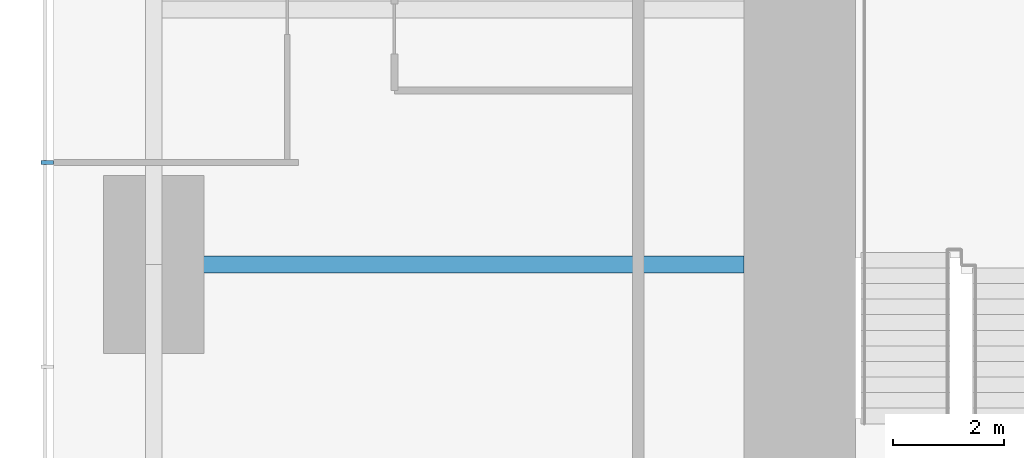
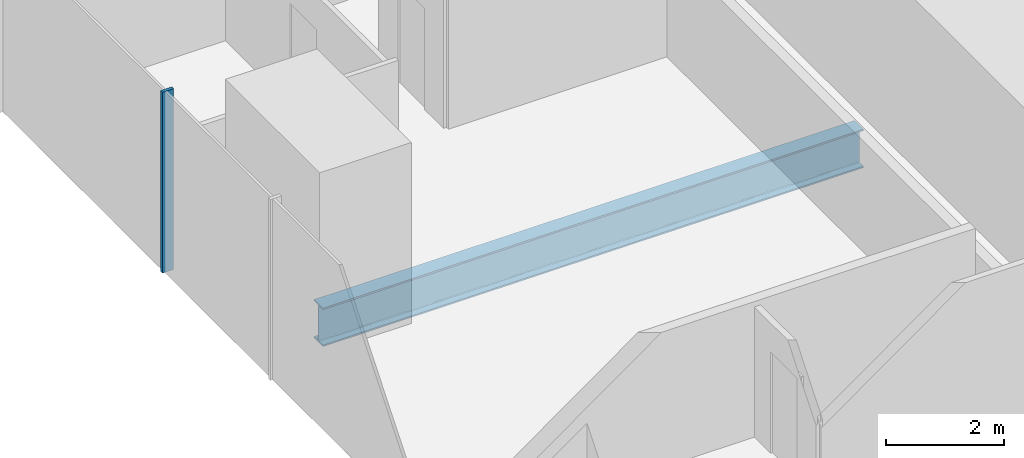
# One storey, part 3 of 13: 1 beam, 1 member, 1 element without a shape of its own.
"""IFC4 building model written with IfcOpenShell, lengths in metres."""

import ifcopenshell
import ifcopenshell.guid

model = None  # the IFC model being written
_history = None  # IfcOwnerHistory: only IFC2X3 demands one
_inside = {}  # id of a spatial element -> (the spatial element, [elements in it])
_under = {}  # id of a project, library or spatial element -> (it, [spatial elements below it])
_declared = {}  # id of a project -> (the project, [libraries it declares])
_typed = {}  # id of a type object -> (the type object, [elements of that type])
_made_of = {}  # id of a material, layer set ... -> (it, [elements and type objects made of it])


def new_model(schema):
    """Start an empty IFC model of exactly this schema.

    Asked for "IFC4X3", IfcOpenShell would pick the latest addendum, in which some entities
    have other attributes; the version numbers below select the first issue.
    IFC2X3 requires an IfcOwnerHistory on every rooted entity: one is made here for all.
    """
    global model, _history
    if schema == "IFC4X3":
        model = ifcopenshell.file(schema_version=(4, 3, 0, 0))
    else:
        model = ifcopenshell.file(schema=schema)
    _inside.clear()
    _under.clear()
    _declared.clear()
    _typed.clear()
    _made_of.clear()
    _history = None
    if model.schema == "IFC2X3":
        org = make("IfcOrganization", Name="unknown")
        user = make(
            "IfcPersonAndOrganization",
            ThePerson=make("IfcPerson", FamilyName="unknown"),
            TheOrganization=org,
        )
        app = make(
            "IfcApplication",
            ApplicationDeveloper=org,
            Version="unknown",
            ApplicationFullName="unknown",
            ApplicationIdentifier="unknown",
        )
        _history = make(
            "IfcOwnerHistory",
            OwningUser=user,
            OwningApplication=app,
            ChangeAction="ADDED",
            CreationDate=0,
        )
    return model


def make(cls, **values):
    """One entity of the class cls with the attributes given. An attribute that is None is left unset."""
    return model.create_entity(
        cls, **{name: value for name, value in values.items() if value is not None}
    )


def rooted(cls, **values):
    """An entity with a GlobalId (a new one), such as an element, a storey or a relation."""
    return make(cls, GlobalId=ifcopenshell.guid.new(), OwnerHistory=_history, **values)


def si_unit(unit_type, name, prefix=None):
    """IfcSIUnit, for example si_unit("LENGTHUNIT", "METRE", prefix="MILLI")."""
    return make("IfcSIUnit", UnitType=unit_type, Prefix=prefix, Name=name)


def assignment(units):
    """IfcUnitAssignment: the units of a project."""
    return None if units is None else make("IfcUnitAssignment", Units=units)


def point(xyz):
    """IfcCartesianPoint."""
    return None if xyz is None else make("IfcCartesianPoint", Coordinates=xyz)


def direction(xyz):
    """IfcDirection."""
    return None if xyz is None else make("IfcDirection", DirectionRatios=xyz)


def frame(location, z_axis=None, x_axis=None):
    """IfcAxis2Placement3D, a coordinate frame: its origin and axes. An axis left out is left unset."""
    return make(
        "IfcAxis2Placement3D",
        Location=point(location),
        Axis=direction(z_axis),
        RefDirection=direction(x_axis),
    )


def frame_2d(location, x_axis=None):
    """IfcAxis2Placement2D, a coordinate frame in the plane: its origin and x axis."""
    return make(
        "IfcAxis2Placement2D", Location=point(location), RefDirection=direction(x_axis)
    )


def origin():
    """The frame at (0, 0, 0) with its axes left unset."""
    return frame((0.0, 0.0, 0.0))


def origin_2d():
    """The frame at (0, 0) in the plane with its x axis left unset."""
    return frame_2d((0.0, 0.0))


def place(relative_to, where):
    """IfcLocalPlacement: puts the frame where relative to a parent placement (None: the world)."""
    return make(
        "IfcLocalPlacement", PlacementRelTo=relative_to, RelativePlacement=where
    )


def context(
    kind, dimensions, precision=None, world=None, true_north=None, identifier=None
):
    """IfcGeometricRepresentationContext, for example the 3D "Model" context."""
    return make(
        "IfcGeometricRepresentationContext",
        ContextIdentifier=identifier,
        ContextType=kind,
        CoordinateSpaceDimension=dimensions,
        Precision=precision,
        WorldCoordinateSystem=world,
        TrueNorth=true_north,
    )


def subcontext(parent, identifier, kind, view, scale=None):
    """IfcGeometricRepresentationSubContext, for example "Body" below "Model"."""
    return make(
        "IfcGeometricRepresentationSubContext",
        ContextIdentifier=identifier,
        ContextType=kind,
        ParentContext=parent,
        TargetScale=scale,
        TargetView=view,
    )


def project(units=None, contexts=None):
    """IfcProject with its units and contexts."""
    return rooted(
        "IfcProject",
        Name="project",
        RepresentationContexts=contexts,
        UnitsInContext=assignment(units),
    )


def spatial(cls, under=None, at=None, **own):
    """A site, building, storey or space (cls), placed at a placement, below another one or the project."""
    s = rooted(cls, ObjectPlacement=at, **own)
    if under is not None:
        _under.setdefault(under.id(), (under, []))[1].append(s)
    return s


def profile(cls, at=None, kind="AREA", **sizes):
    """A parametric profile (cls). Its sizes go by their IFC names, for example OverallWidth=200.0."""
    return make(cls, ProfileType=kind, Position=at, **sizes)


def rectangle(**sizes):
    """IfcRectangleProfileDef."""
    return profile("IfcRectangleProfileDef", **sizes)


def i_section(**sizes):
    """IfcIShapeProfileDef."""
    return profile("IfcIShapeProfileDef", **sizes)


def extrude(swept, where, along, depth):
    """IfcExtrudedAreaSolid: the profile swept, set in the frame where, extruded along a direction by depth."""
    return make(
        "IfcExtrudedAreaSolid",
        SweptArea=swept,
        Position=where,
        ExtrudedDirection=direction(along),
        Depth=depth,
    )


def shape(context_of_items, identifier, shape_type, items):
    """IfcShapeRepresentation: the items that make up one representation, for example the "Body"."""
    return make(
        "IfcShapeRepresentation",
        ContextOfItems=context_of_items,
        RepresentationIdentifier=identifier,
        RepresentationType=shape_type,
        Items=items,
    )


def material(Name=None, Category=None):
    """IfcMaterial."""
    return make("IfcMaterial", Name=Name, Category=Category)


def material_profile(
    of_material, cross_section, Name=None, Category=None, Priority=None
):
    """IfcMaterialProfile: a cross section and its material."""
    return make(
        "IfcMaterialProfile",
        Name=Name,
        Material=of_material,
        Profile=cross_section,
        Priority=Priority,
        Category=Category,
    )


def profile_set(profiles, Name=None, composite=None):
    """IfcMaterialProfileSet."""
    return make(
        "IfcMaterialProfileSet",
        Name=Name,
        MaterialProfiles=profiles,
        CompositeProfile=composite,
    )


def made_of(thing, what):
    """Note that an element or type object is made of a material, layer set ...; save() writes the relation."""
    if what is not None:
        _made_of.setdefault(what.id(), (what, []))[1].append(thing)
    return thing


def type_object(cls, material=None, **own):
    """A type object (cls), such as IfcWallType, which elements share."""
    return made_of(rooted(cls, **own), material)


def element(
    cls,
    number,
    at=None,
    inside=None,
    cuts=None,
    type_object=None,
    material=None,
    context=None,
    identifier="Body",
    shape_type=None,
    held_by="IfcProductDefinitionShape",
    body=None,
    shapes=None,
    **own,
):
    """One element of the class cls, such as IfcWall. Its Tag is "e" and its number.

    at: its placement. inside: the storey or other place that contains it. cuts: it is an
    opening in that element (IfcRelVoidsElement). A single representation is given by context,
    identifier, shape_type and body (its items); several are given by shapes. held_by: the class
    of the entity that holds the representations. save() writes the other relations.
    """
    e = rooted(cls, Tag="e%d" % number, ObjectPlacement=at, **own)
    if body is not None:
        shapes = [shape(context, identifier, shape_type, body)]
    if shapes is not None:
        e.Representation = make(held_by, Representations=shapes)
    if inside is not None:
        _inside.setdefault(inside.id(), (inside, []))[1].append(e)
    if cuts is not None:
        rooted(
            "IfcRelVoidsElement", RelatingBuildingElement=cuts, RelatedOpeningElement=e
        )
    if type_object is not None:
        _typed.setdefault(type_object.id(), (type_object, []))[1].append(e)
    return made_of(e, material)


def aggregate(whole, parts):
    """IfcRelAggregates: a whole, such as a stair, and the parts it consists of."""
    return rooted("IfcRelAggregates", RelatingObject=whole, RelatedObjects=parts)


def save(model, path):
    """Write the relations noted so far, then the file.

    IfcRelAggregates (storeys below a building ...), IfcRelContainedInSpatialStructure (elements
    in a storey), IfcRelDefinesByType, IfcRelAssociatesMaterial and IfcRelDeclares: one each for
    every whole, place, type object, material and project.
    """
    for whole, parts in _under.values():
        aggregate(whole, parts)
    for where, things in _inside.values():
        rooted(
            "IfcRelContainedInSpatialStructure",
            RelatedElements=things,
            RelatingStructure=where,
        )
    for kind, things in _typed.values():
        rooted("IfcRelDefinesByType", RelatedObjects=things, RelatingType=kind)
    for what, things in _made_of.values():
        rooted("IfcRelAssociatesMaterial", RelatedObjects=things, RelatingMaterial=what)
    for by, libraries in _declared.values():
        rooted("IfcRelDeclares", RelatingContext=by, RelatedDefinitions=libraries)
    model.write(path)


model = new_model("IFC4")

# Units and contexts
model_context = context("Model", 3, precision=1e-05, world=origin(), true_north=direction((0.0, 1.0)))
body_context = subcontext(model_context, "Body", "Model", "MODEL_VIEW")
ifc_project = project(units=[si_unit("LENGTHUNIT", "METRE"), si_unit("AREAUNIT", "SQUARE_METRE"), si_unit("VOLUMEUNIT", "CUBIC_METRE"), si_unit("PLANEANGLEUNIT", "RADIAN"), si_unit("MASSUNIT", "GRAM", prefix="KILO")], contexts=[model_context])

# Site, building, storey
site_placement = place(None, origin())
site = spatial("IfcSite", under=ifc_project, at=site_placement, CompositionType="ELEMENT")
building_placement = place(site_placement, origin())
building = spatial("IfcBuilding", under=site, at=building_placement, Name="Khuree Lantern Residences", CompositionType="ELEMENT")
storey_placement = place(building_placement, frame((0.0, 0.0, 126.0)))
storey = spatial("IfcBuildingStorey", under=building, at=storey_placement, Name="L31", CompositionType="ELEMENT", Elevation=126.0)

# Beam
ifc_material_1 = material(Name="Steel S355", Category="steel")
ifc_material_profile_1 = material_profile(ifc_material_1, i_section(OverallWidth=0.300048828125, OverallDepth=0.800048828125, WebThickness=0.017578125, FlangeThickness=0.032958984375, FilletRadius=0.030029296875, at=origin_2d()), Name="HE 800 B")
ifc_profile_set_1 = profile_set([ifc_material_profile_1], Name="Steel S355")
beam_type = type_object("IfcBeamType", Name="G-22 GIRDER HE 800 B", PredefinedType="BEAM", material=ifc_profile_set_1)
beam_placement = place(storey_placement, frame((-27.10009765625, 0.0, -0.64990234375), z_axis=(1.0, 0.0, 0.0), x_axis=(0.0, 1.0, 0.0)))
element("IfcBeam", 1, at=beam_placement, inside=storey, type_object=beam_type, Name="Girder W3", PredefinedType="BEAM", context=body_context, shape_type="SweptSolid", body=[
    extrude(i_section(OverallWidth=0.300048828125, OverallDepth=0.800048828125, WebThickness=0.017578125, FlangeThickness=0.032958984375, FilletRadius=0.030029296875, at=origin_2d()), origin(), (0.0, 0.0, 1.0), 10.60009765625),
])

# Curtain wall, member
ifc_material_2 = material(Name="Bronze anodised aluminium", Category="aluminium")
curtain_wall_type = type_object("IfcCurtainWallType", Name="CW-T1 TOWER FACE CURTAIN WALL", PredefinedType="USERDEFINED", material=ifc_material_2)
curtain_wall_placement = place(storey_placement, origin())
curtain_wall = element("IfcCurtainWall", 2, at=curtain_wall_placement, inside=storey, type_object=curtain_wall_type, Name="L31 WEST FACE CURTAIN WALL", ObjectType="Stick-built curtain wall", PredefinedType="USERDEFINED")
ifc_material_profile_2 = material_profile(ifc_material_2, rectangle(XDim=0.06494140625, YDim=0.219970703125, at=origin_2d()), Name="M1 65X220")
ifc_profile_set_2 = profile_set([ifc_material_profile_2], Name="Bronze anodised aluminium")
member_type = type_object("IfcMemberType", Name="M1 BRONZE MULLION TOWER 65X220", PredefinedType="MULLION", material=ifc_profile_set_2)
member_placement = place(storey_placement, frame((-29.010009765625, 1.83203125, 0.0), z_axis=(0.0, 0.0, 1.0), x_axis=(0.0, -1.0, 0.0)))
member = element("IfcMember", 3, at=member_placement, type_object=member_type, Name="L31 WEST FACE MULLION 37", PredefinedType="MULLION", context=body_context, shape_type="SweptSolid", body=[
    extrude(rectangle(XDim=0.06494140625, YDim=0.219970703125, at=origin_2d()), origin(), (0.0, 0.0, 1.0), 3.75),
])
aggregate(curtain_wall, [member])

save(model, "model.ifc")
